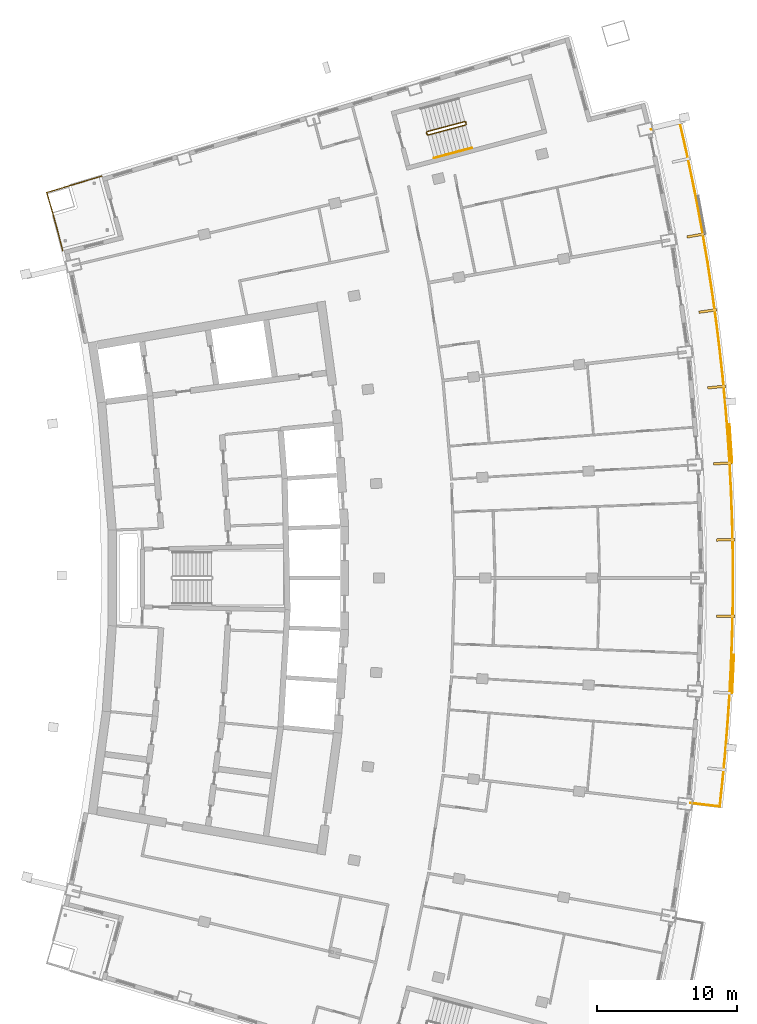
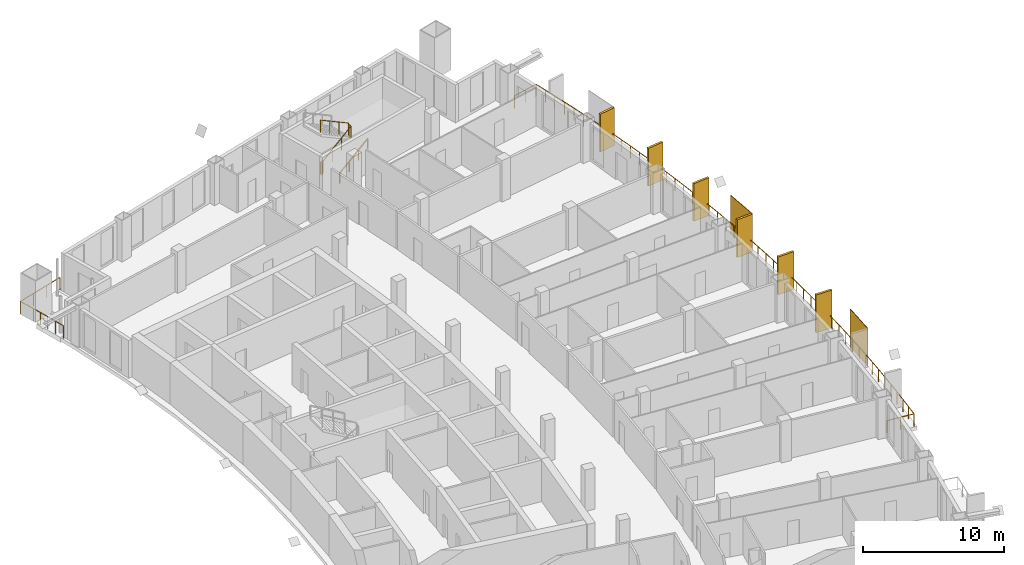
# One storey, part 18 of 19: 8 shading devices, 4 railings.
"""IFC4 building model written with IfcOpenShell, lengths in metres."""

import ifcopenshell
import ifcopenshell.guid

model = None  # the IFC model being written
_history = None  # IfcOwnerHistory: only IFC2X3 demands one
_inside = {}  # id of a spatial element -> (the spatial element, [elements in it])
_under = {}  # id of a project, library or spatial element -> (it, [spatial elements below it])
_declared = {}  # id of a project -> (the project, [libraries it declares])
_typed = {}  # id of a type object -> (the type object, [elements of that type])
_made_of = {}  # id of a material, layer set ... -> (it, [elements and type objects made of it])


def new_model(schema):
    """Start an empty IFC model of exactly this schema.

    Asked for "IFC4X3", IfcOpenShell would pick the latest addendum, in which some entities
    have other attributes; the version numbers below select the first issue.
    IFC2X3 requires an IfcOwnerHistory on every rooted entity: one is made here for all.
    """
    global model, _history
    if schema == "IFC4X3":
        model = ifcopenshell.file(schema_version=(4, 3, 0, 0))
    else:
        model = ifcopenshell.file(schema=schema)
    _inside.clear()
    _under.clear()
    _declared.clear()
    _typed.clear()
    _made_of.clear()
    _history = None
    if model.schema == "IFC2X3":
        org = make("IfcOrganization", Name="unknown")
        user = make(
            "IfcPersonAndOrganization",
            ThePerson=make("IfcPerson", FamilyName="unknown"),
            TheOrganization=org,
        )
        app = make(
            "IfcApplication",
            ApplicationDeveloper=org,
            Version="unknown",
            ApplicationFullName="unknown",
            ApplicationIdentifier="unknown",
        )
        _history = make(
            "IfcOwnerHistory",
            OwningUser=user,
            OwningApplication=app,
            ChangeAction="ADDED",
            CreationDate=0,
        )
    return model


def make(cls, **values):
    """One entity of the class cls with the attributes given. An attribute that is None is left unset."""
    return model.create_entity(
        cls, **{name: value for name, value in values.items() if value is not None}
    )


def rooted(cls, **values):
    """An entity with a GlobalId (a new one), such as an element, a storey or a relation."""
    return make(cls, GlobalId=ifcopenshell.guid.new(), OwnerHistory=_history, **values)


def si_unit(unit_type, name, prefix=None):
    """IfcSIUnit, for example si_unit("LENGTHUNIT", "METRE", prefix="MILLI")."""
    return make("IfcSIUnit", UnitType=unit_type, Prefix=prefix, Name=name)


def assignment(units):
    """IfcUnitAssignment: the units of a project."""
    return None if units is None else make("IfcUnitAssignment", Units=units)


def point(xyz):
    """IfcCartesianPoint."""
    return None if xyz is None else make("IfcCartesianPoint", Coordinates=xyz)


def direction(xyz):
    """IfcDirection."""
    return None if xyz is None else make("IfcDirection", DirectionRatios=xyz)


def frame(location, z_axis=None, x_axis=None):
    """IfcAxis2Placement3D, a coordinate frame: its origin and axes. An axis left out is left unset."""
    return make(
        "IfcAxis2Placement3D",
        Location=point(location),
        Axis=direction(z_axis),
        RefDirection=direction(x_axis),
    )


def frame_2d(location, x_axis=None):
    """IfcAxis2Placement2D, a coordinate frame in the plane: its origin and x axis."""
    return make(
        "IfcAxis2Placement2D", Location=point(location), RefDirection=direction(x_axis)
    )


def origin():
    """The frame at (0, 0, 0) with its axes left unset."""
    return frame((0.0, 0.0, 0.0))


def origin_2d():
    """The frame at (0, 0) in the plane with its x axis left unset."""
    return frame_2d((0.0, 0.0))


def place(relative_to, where):
    """IfcLocalPlacement: puts the frame where relative to a parent placement (None: the world)."""
    return make(
        "IfcLocalPlacement", PlacementRelTo=relative_to, RelativePlacement=where
    )


def context(
    kind, dimensions, precision=None, world=None, true_north=None, identifier=None
):
    """IfcGeometricRepresentationContext, for example the 3D "Model" context."""
    return make(
        "IfcGeometricRepresentationContext",
        ContextIdentifier=identifier,
        ContextType=kind,
        CoordinateSpaceDimension=dimensions,
        Precision=precision,
        WorldCoordinateSystem=world,
        TrueNorth=true_north,
    )


def subcontext(parent, identifier, kind, view, scale=None):
    """IfcGeometricRepresentationSubContext, for example "Body" below "Model"."""
    return make(
        "IfcGeometricRepresentationSubContext",
        ContextIdentifier=identifier,
        ContextType=kind,
        ParentContext=parent,
        TargetScale=scale,
        TargetView=view,
    )


def project(units=None, contexts=None):
    """IfcProject with its units and contexts."""
    return rooted(
        "IfcProject",
        Name="project",
        RepresentationContexts=contexts,
        UnitsInContext=assignment(units),
    )


def spatial(cls, under=None, at=None, **own):
    """A site, building, storey or space (cls), placed at a placement, below another one or the project."""
    s = rooted(cls, ObjectPlacement=at, **own)
    if under is not None:
        _under.setdefault(under.id(), (under, []))[1].append(s)
    return s


def profile(cls, at=None, kind="AREA", **sizes):
    """A parametric profile (cls). Its sizes go by their IFC names, for example OverallWidth=200.0."""
    return make(cls, ProfileType=kind, Position=at, **sizes)


def rectangle(**sizes):
    """IfcRectangleProfileDef."""
    return profile("IfcRectangleProfileDef", **sizes)


def extrude(swept, where, along, depth):
    """IfcExtrudedAreaSolid: the profile swept, set in the frame where, extruded along a direction by depth."""
    return make(
        "IfcExtrudedAreaSolid",
        SweptArea=swept,
        Position=where,
        ExtrudedDirection=direction(along),
        Depth=depth,
    )


def shape(context_of_items, identifier, shape_type, items):
    """IfcShapeRepresentation: the items that make up one representation, for example the "Body"."""
    return make(
        "IfcShapeRepresentation",
        ContextOfItems=context_of_items,
        RepresentationIdentifier=identifier,
        RepresentationType=shape_type,
        Items=items,
    )


def material(Name=None, Category=None):
    """IfcMaterial."""
    return make("IfcMaterial", Name=Name, Category=Category)


def layer(
    of_material, thickness, ventilated=None, Name=None, Category=None, Priority=None
):
    """IfcMaterialLayer: one layer of a wall or slab, of a material (None: an air gap)."""
    return make(
        "IfcMaterialLayer",
        Material=of_material,
        LayerThickness=thickness,
        IsVentilated=ventilated,
        Name=Name,
        Category=Category,
        Priority=Priority,
    )


def layer_set(layers, Name=None):
    """IfcMaterialLayerSet."""
    return make("IfcMaterialLayerSet", MaterialLayers=layers, LayerSetName=Name)


def made_of(thing, what):
    """Note that an element or type object is made of a material, layer set ...; save() writes the relation."""
    if what is not None:
        _made_of.setdefault(what.id(), (what, []))[1].append(thing)
    return thing


def type_object(cls, material=None, **own):
    """A type object (cls), such as IfcWallType, which elements share."""
    return made_of(rooted(cls, **own), material)


def element(
    cls,
    number,
    at=None,
    inside=None,
    cuts=None,
    type_object=None,
    material=None,
    context=None,
    identifier="Body",
    shape_type=None,
    held_by="IfcProductDefinitionShape",
    body=None,
    shapes=None,
    **own,
):
    """One element of the class cls, such as IfcWall. Its Tag is "e" and its number.

    at: its placement. inside: the storey or other place that contains it. cuts: it is an
    opening in that element (IfcRelVoidsElement). A single representation is given by context,
    identifier, shape_type and body (its items); several are given by shapes. held_by: the class
    of the entity that holds the representations. save() writes the other relations.
    """
    e = rooted(cls, Tag="e%d" % number, ObjectPlacement=at, **own)
    if body is not None:
        shapes = [shape(context, identifier, shape_type, body)]
    if shapes is not None:
        e.Representation = make(held_by, Representations=shapes)
    if inside is not None:
        _inside.setdefault(inside.id(), (inside, []))[1].append(e)
    if cuts is not None:
        rooted(
            "IfcRelVoidsElement", RelatingBuildingElement=cuts, RelatedOpeningElement=e
        )
    if type_object is not None:
        _typed.setdefault(type_object.id(), (type_object, []))[1].append(e)
    return made_of(e, material)


def aggregate(whole, parts):
    """IfcRelAggregates: a whole, such as a stair, and the parts it consists of."""
    return rooted("IfcRelAggregates", RelatingObject=whole, RelatedObjects=parts)


def save(model, path):
    """Write the relations noted so far, then the file.

    IfcRelAggregates (storeys below a building ...), IfcRelContainedInSpatialStructure (elements
    in a storey), IfcRelDefinesByType, IfcRelAssociatesMaterial and IfcRelDeclares: one each for
    every whole, place, type object, material and project.
    """
    for whole, parts in _under.values():
        aggregate(whole, parts)
    for where, things in _inside.values():
        rooted(
            "IfcRelContainedInSpatialStructure",
            RelatedElements=things,
            RelatingStructure=where,
        )
    for kind, things in _typed.values():
        rooted("IfcRelDefinesByType", RelatedObjects=things, RelatingType=kind)
    for what, things in _made_of.values():
        rooted("IfcRelAssociatesMaterial", RelatedObjects=things, RelatingMaterial=what)
    for by, libraries in _declared.values():
        rooted("IfcRelDeclares", RelatingContext=by, RelatedDefinitions=libraries)
    model.write(path)


model = new_model("IFC4")

# Units and contexts
model_context = context("Model", 3, precision=1e-05, world=origin(), true_north=direction((0.0, 1.0)))
body_context = subcontext(model_context, "Body", "Model", "MODEL_VIEW")
ifc_project = project(units=[si_unit("LENGTHUNIT", "METRE"), si_unit("AREAUNIT", "SQUARE_METRE"), si_unit("VOLUMEUNIT", "CUBIC_METRE"), si_unit("PLANEANGLEUNIT", "RADIAN"), si_unit("MASSUNIT", "GRAM", prefix="KILO")], contexts=[model_context])

# Site, building, storey
site_placement = place(None, origin())
site = spatial("IfcSite", under=ifc_project, at=site_placement, CompositionType="ELEMENT")
building_placement = place(site_placement, origin())
building = spatial("IfcBuilding", under=site, at=building_placement, Name="Alderwake Tower", CompositionType="ELEMENT")
storey_placement = place(building_placement, frame((0.0, 0.0, 196.39990234375)))
storey = spatial("IfcBuildingStorey", under=building, at=storey_placement, Name="L48", CompositionType="ELEMENT", Elevation=196.39990234375)

# Railings
ifc_material_1 = material(Name="Stainless steel 316 rail and posts", Category="steel")
railing_type_1 = type_object("IfcRailingType", Name="Balcony guard 1100", PredefinedType="GUARDRAIL", material=ifc_material_1)
railing_1_placement = place(storey_placement, frame((58.06640625, 44.91796875, 0.0)))
element("IfcRailing", 1, at=railing_1_placement, inside=storey, type_object=railing_type_1, Name="Guard BF05", PredefinedType="GUARDRAIL", context=body_context, shape_type="SweptSolid", body=[
    extrude(rectangle(XDim=0.048095703125, YDim=0.048095703125, at=origin_2d()), frame((0.0, 0.0, 1.076171875), z_axis=(0.993287203457, -0.115674247125, 0.0), x_axis=(0.115674247125, 0.993287203457, 0.0)), (0.0, 0.0, 1.0), 2.10009765625),
    extrude(rectangle(XDim=0.048095703125, YDim=0.048095703125, at=origin_2d()), frame((2.0859375, -0.242919921875, 1.076171875), z_axis=(0.108871005933, 0.994055885787, 0.0), x_axis=(-0.994055885787, 0.108871005933, 0.0)), (0.0, 0.0, 1.0), 1.957763671875),
    extrude(rectangle(XDim=0.048095703125, YDim=0.048095703125, at=origin_2d()), frame((2.299072265625, 1.703125, 1.076171875), z_axis=(0.094685905036, 0.995507197055, 0.0), x_axis=(-0.995507197055, 0.094685905036, 0.0)), (0.0, 0.0, 1.0), 2.0576171875),
    extrude(rectangle(XDim=0.048095703125, YDim=0.048095703125, at=origin_2d()), frame((2.493896484375, 3.75146484375, 1.076171875), z_axis=(0.080080004355, 0.99678843939, 0.0), x_axis=(-0.99678843939, 0.080080004355, 0.0)), (0.0, 0.0, 1.0), 2.057861328125),
    extrude(rectangle(XDim=0.048095703125, YDim=0.048095703125, at=origin_2d()), frame((2.65869140625, 5.802734375, 1.076171875), z_axis=(0.065621128532, 0.997844610894, 0.0), x_axis=(-0.997844610894, 0.065621128532, 0.0)), (0.0, 0.0, 1.0), 2.057373046875),
    extrude(rectangle(XDim=0.048095703125, YDim=0.048095703125, at=origin_2d()), frame((2.793701171875, 7.855712890625, 1.076171875), z_axis=(0.051014504911, 0.998697912428, 0.0), x_axis=(-0.998697912428, 0.051014504911, 0.0)), (0.0, 0.0, 1.0), 2.057861328125),
    extrude(rectangle(XDim=0.048095703125, YDim=0.048095703125, at=origin_2d()), frame((2.898681640625, 9.910888671875, 1.076171875), z_axis=(0.036423636096, 0.99933643921, 0.0), x_axis=(-0.99933643921, 0.036423636096, 0.0)), (0.0, 0.0, 1.0), 2.057861328125),
    extrude(rectangle(XDim=0.048095703125, YDim=0.048095703125, at=origin_2d()), frame((2.9736328125, 11.96728515625, 1.076171875), z_axis=(0.021831965865, 0.999761654229, 0.0), x_axis=(-0.999761654229, 0.021831965865, 0.0)), (0.0, 0.0, 1.0), 2.0576171875),
    extrude(rectangle(XDim=0.048095703125, YDim=0.048095703125, at=origin_2d()), frame((3.0185546875, 14.0244140625, 1.076171875), z_axis=(0.007356231898, 0.99997294256, 0.0), x_axis=(-0.99997294256, 0.007356231898, 0.0)), (0.0, 0.0, 1.0), 2.0576171875),
    extrude(rectangle(XDim=0.048095703125, YDim=0.048095703125, at=origin_2d()), frame((3.03369140625, 16.08203125, 1.076171875), z_axis=(-0.007356231898, 0.99997294256, 0.0), x_axis=(-0.99997294256, -0.007356231898, 0.0)), (0.0, 0.0, 1.0), 2.0576171875),
    extrude(rectangle(XDim=0.048095703125, YDim=0.048095703125, at=origin_2d()), frame((3.0185546875, 18.1396484375, 1.076171875), z_axis=(-0.021831965865, 0.999761654229, 0.0), x_axis=(-0.999761654229, -0.021831965865, 0.0)), (0.0, 0.0, 1.0), 2.0576171875),
    extrude(rectangle(XDim=0.048095703125, YDim=0.048095703125, at=origin_2d()), frame((2.9736328125, 20.19677734375, 1.076171875), z_axis=(-0.036423636096, 0.99933643921, 0.0), x_axis=(-0.99933643921, -0.036423636096, 0.0)), (0.0, 0.0, 1.0), 2.057861328125),
    extrude(rectangle(XDim=0.048095703125, YDim=0.048095703125, at=origin_2d()), frame((2.898681640625, 22.253173828125, 1.076171875), z_axis=(-0.051014504911, 0.998697912428, 0.0), x_axis=(-0.998697912428, -0.051014504911, 0.0)), (0.0, 0.0, 1.0), 2.057861328125),
    extrude(rectangle(XDim=0.048095703125, YDim=0.048095703125, at=origin_2d()), frame((2.793701171875, 24.308349609375, 1.076171875), z_axis=(-0.065621128532, 0.997844610894, 0.0), x_axis=(-0.997844610894, -0.065621128532, 0.0)), (0.0, 0.0, 1.0), 2.057373046875),
    extrude(rectangle(XDim=0.048095703125, YDim=0.048095703125, at=origin_2d()), frame((2.65869140625, 26.361328125, 1.076171875), z_axis=(-0.080080004355, 0.99678843939, 0.0), x_axis=(-0.99678843939, -0.080080004355, 0.0)), (0.0, 0.0, 1.0), 2.057861328125),
    extrude(rectangle(XDim=0.048095703125, YDim=0.048095703125, at=origin_2d()), frame((2.493896484375, 28.41259765625, 1.076171875), z_axis=(-0.094685905036, 0.995507197055, 0.0), x_axis=(-0.995507197055, -0.094685905036, 0.0)), (0.0, 0.0, 1.0), 2.0576171875),
    extrude(rectangle(XDim=0.048095703125, YDim=0.048095703125, at=origin_2d()), frame((2.299072265625, 30.4609375, 1.076171875), z_axis=(-0.109155256142, 0.994024713001, 0.0), x_axis=(-0.994024713001, -0.109155256142, 0.0)), (0.0, 0.0, 1.0), 2.0576171875),
    extrude(rectangle(XDim=0.048095703125, YDim=0.048095703125, at=origin_2d()), frame((2.074462890625, 32.50634765625, 1.076171875), z_axis=(-0.123625862504, 0.992328900174, 0.0), x_axis=(-0.992328900174, -0.123625862504, 0.0)), (0.0, 0.0, 1.0), 2.057861328125),
    extrude(rectangle(XDim=0.048095703125, YDim=0.048095703125, at=origin_2d()), frame((1.820068359375, 34.54833984375, 1.076171875), z_axis=(-0.138114829641, 0.990416222521, 0.0), x_axis=(-0.990416222521, -0.138114829641, 0.0)), (0.0, 0.0, 1.0), 2.0576171875),
    extrude(rectangle(XDim=0.048095703125, YDim=0.048095703125, at=origin_2d()), frame((1.535888671875, 36.586181640625, 1.076171875), z_axis=(-0.152574252714, 0.988292010192, 0.0), x_axis=(-0.988292010192, -0.152574252714, 0.0)), (0.0, 0.0, 1.0), 2.057861328125),
    extrude(rectangle(XDim=0.048095703125, YDim=0.048095703125, at=origin_2d()), frame((1.221923828125, 38.619873046875, 1.076171875), z_axis=(-0.166938157328, 0.98596736844, 0.0), x_axis=(-0.98596736844, -0.166938157328, 0.0)), (0.0, 0.0, 1.0), 2.0576171875),
    extrude(rectangle(XDim=0.048095703125, YDim=0.048095703125, at=origin_2d()), frame((0.87841796875, 40.648681640625, 1.076171875), z_axis=(-0.181171488795, 0.983451519724, 0.0), x_axis=(-0.983451519724, -0.181171488795, 0.0)), (0.0, 0.0, 1.0), 2.0576171875),
    extrude(rectangle(XDim=0.048095703125, YDim=0.048095703125, at=origin_2d()), frame((0.505615234375, 42.67236328125, 1.076171875), z_axis=(-0.195659753975, 0.980671841481, 0.0), x_axis=(-0.980671841481, -0.195659753975, 0.0)), (0.0, 0.0, 1.0), 2.0576171875),
    extrude(rectangle(XDim=0.048095703125, YDim=0.048095703125, at=origin_2d()), frame((0.10302734375, 44.690185546875, 1.076171875), z_axis=(-0.209877477425, 0.977727694437, 0.0), x_axis=(-0.977727694437, -0.209877477425, 0.0)), (0.0, 0.0, 1.0), 2.057861328125),
    extrude(rectangle(XDim=0.048095703125, YDim=0.048095703125, at=origin_2d()), frame((-0.328857421875, 46.7021484375, 1.076171875), z_axis=(-0.223857490516, 0.974621887677, 0.0), x_axis=(-0.974621887677, -0.223857490516, 0.0)), (0.0, 0.0, 1.0), 1.95751953125),
    extrude(rectangle(XDim=0.048095703125, YDim=0.048095703125, at=origin_2d()), frame((-0.76708984375, 48.610107421875, 1.076171875), z_axis=(-0.973057638874, -0.230561990427, 0.0), x_axis=(0.230561990427, -0.973057638874, 0.0)), (0.0, 0.0, 1.0), 2.099853515625),
    extrude(rectangle(XDim=0.0419921875, YDim=0.0419921875, at=origin_2d()), frame((0.0, 0.0, 0.0), z_axis=(0.0, 0.0, 1.0), x_axis=(0.993287203457, -0.115674247125, 0.0)), (0.0, 0.0, 1.0), 1.052001953125),
    extrude(rectangle(XDim=0.0419921875, YDim=0.0419921875, at=origin_2d()), frame((1.04296875, -0.12158203125, 0.0), z_axis=(0.0, 0.0, 1.0), x_axis=(0.993287203457, -0.115674247125, 0.0)), (0.0, 0.0, 1.0), 1.052001953125),
    extrude(rectangle(XDim=0.0419921875, YDim=0.0419921875, at=origin_2d()), frame((2.0859375, -0.242919921875, 0.0), z_axis=(0.0, 0.0, 1.0), x_axis=(0.108871005933, 0.994055885787, 0.0)), (0.0, 0.0, 1.0), 1.052001953125),
    extrude(rectangle(XDim=0.0419921875, YDim=0.0419921875, at=origin_2d()), frame((2.1923828125, 0.72998046875, 0.0), z_axis=(0.0, 0.0, 1.0), x_axis=(0.108871005933, 0.994055885787, 0.0)), (0.0, 0.0, 1.0), 1.052001953125),
    extrude(rectangle(XDim=0.0419921875, YDim=0.0419921875, at=origin_2d()), frame((2.299072265625, 1.703125, 0.0), z_axis=(0.0, 0.0, 1.0), x_axis=(0.094685905036, 0.995507197055, 0.0)), (0.0, 0.0, 1.0), 1.052001953125),
    extrude(rectangle(XDim=0.0419921875, YDim=0.0419921875, at=origin_2d()), frame((2.396484375, 2.727294921875, 0.0), z_axis=(0.0, 0.0, 1.0), x_axis=(0.094685905036, 0.995507197055, 0.0)), (0.0, 0.0, 1.0), 1.052001953125),
    extrude(rectangle(XDim=0.0419921875, YDim=0.0419921875, at=origin_2d()), frame((2.493896484375, 3.75146484375, 0.0), z_axis=(0.0, 0.0, 1.0), x_axis=(0.080080004355, 0.99678843939, 0.0)), (0.0, 0.0, 1.0), 1.052001953125),
    extrude(rectangle(XDim=0.0419921875, YDim=0.0419921875, at=origin_2d()), frame((2.576171875, 4.777099609375, 0.0), z_axis=(0.0, 0.0, 1.0), x_axis=(0.080080004355, 0.99678843939, 0.0)), (0.0, 0.0, 1.0), 1.052001953125),
    extrude(rectangle(XDim=0.0419921875, YDim=0.0419921875, at=origin_2d()), frame((2.65869140625, 5.802734375, 0.0), z_axis=(0.0, 0.0, 1.0), x_axis=(0.065621128532, 0.997844610894, 0.0)), (0.0, 0.0, 1.0), 1.052001953125),
    extrude(rectangle(XDim=0.0419921875, YDim=0.0419921875, at=origin_2d()), frame((2.72607421875, 6.8291015625, 0.0), z_axis=(0.0, 0.0, 1.0), x_axis=(0.065621128532, 0.997844610894, 0.0)), (0.0, 0.0, 1.0), 1.052001953125),
    extrude(rectangle(XDim=0.0419921875, YDim=0.0419921875, at=origin_2d()), frame((2.793701171875, 7.855712890625, 0.0), z_axis=(0.0, 0.0, 1.0), x_axis=(0.051014504911, 0.998697912428, 0.0)), (0.0, 0.0, 1.0), 1.052001953125),
    extrude(rectangle(XDim=0.0419921875, YDim=0.0419921875, at=origin_2d()), frame((2.84619140625, 8.88330078125, 0.0), z_axis=(0.0, 0.0, 1.0), x_axis=(0.051014504911, 0.998697912428, 0.0)), (0.0, 0.0, 1.0), 1.052001953125),
    extrude(rectangle(XDim=0.0419921875, YDim=0.0419921875, at=origin_2d()), frame((2.898681640625, 9.910888671875, 0.0), z_axis=(0.0, 0.0, 1.0), x_axis=(0.036423636096, 0.99933643921, 0.0)), (0.0, 0.0, 1.0), 1.052001953125),
    extrude(rectangle(XDim=0.0419921875, YDim=0.0419921875, at=origin_2d()), frame((2.93603515625, 10.93896484375, 0.0), z_axis=(0.0, 0.0, 1.0), x_axis=(0.036423636096, 0.99933643921, 0.0)), (0.0, 0.0, 1.0), 1.052001953125),
    extrude(rectangle(XDim=0.0419921875, YDim=0.0419921875, at=origin_2d()), frame((2.9736328125, 11.96728515625, 0.0), z_axis=(0.0, 0.0, 1.0), x_axis=(0.021831965865, 0.999761654229, 0.0)), (0.0, 0.0, 1.0), 1.052001953125),
    extrude(rectangle(XDim=0.0419921875, YDim=0.0419921875, at=origin_2d()), frame((2.99609375, 12.995849609375, 0.0), z_axis=(0.0, 0.0, 1.0), x_axis=(0.021831965865, 0.999761654229, 0.0)), (0.0, 0.0, 1.0), 1.052001953125),
    extrude(rectangle(XDim=0.0419921875, YDim=0.0419921875, at=origin_2d()), frame((3.0185546875, 14.0244140625, 0.0), z_axis=(0.0, 0.0, 1.0), x_axis=(0.007356231898, 0.99997294256, 0.0)), (0.0, 0.0, 1.0), 1.052001953125),
    extrude(rectangle(XDim=0.0419921875, YDim=0.0419921875, at=origin_2d()), frame((3.026123046875, 15.05322265625, 0.0), z_axis=(0.0, 0.0, 1.0), x_axis=(0.007356231898, 0.99997294256, 0.0)), (0.0, 0.0, 1.0), 1.052001953125),
    extrude(rectangle(XDim=0.0419921875, YDim=0.0419921875, at=origin_2d()), frame((3.03369140625, 16.08203125, 0.0), z_axis=(0.0, 0.0, 1.0), x_axis=(-0.007356231898, 0.99997294256, 0.0)), (0.0, 0.0, 1.0), 1.052001953125),
    extrude(rectangle(XDim=0.0419921875, YDim=0.0419921875, at=origin_2d()), frame((3.026123046875, 17.11083984375, 0.0), z_axis=(0.0, 0.0, 1.0), x_axis=(-0.007356231898, 0.99997294256, 0.0)), (0.0, 0.0, 1.0), 1.052001953125),
    extrude(rectangle(XDim=0.0419921875, YDim=0.0419921875, at=origin_2d()), frame((3.0185546875, 18.1396484375, 0.0), z_axis=(0.0, 0.0, 1.0), x_axis=(-0.021831965865, 0.999761654229, 0.0)), (0.0, 0.0, 1.0), 1.052001953125),
    extrude(rectangle(XDim=0.0419921875, YDim=0.0419921875, at=origin_2d()), frame((2.99609375, 19.168212890625, 0.0), z_axis=(0.0, 0.0, 1.0), x_axis=(-0.021831965865, 0.999761654229, 0.0)), (0.0, 0.0, 1.0), 1.052001953125),
    extrude(rectangle(XDim=0.0419921875, YDim=0.0419921875, at=origin_2d()), frame((2.9736328125, 20.19677734375, 0.0), z_axis=(0.0, 0.0, 1.0), x_axis=(-0.036423636096, 0.99933643921, 0.0)), (0.0, 0.0, 1.0), 1.052001953125),
    extrude(rectangle(XDim=0.0419921875, YDim=0.0419921875, at=origin_2d()), frame((2.93603515625, 21.22509765625, 0.0), z_axis=(0.0, 0.0, 1.0), x_axis=(-0.036423636096, 0.99933643921, 0.0)), (0.0, 0.0, 1.0), 1.052001953125),
    extrude(rectangle(XDim=0.0419921875, YDim=0.0419921875, at=origin_2d()), frame((2.898681640625, 22.253173828125, 0.0), z_axis=(0.0, 0.0, 1.0), x_axis=(-0.051014504911, 0.998697912428, 0.0)), (0.0, 0.0, 1.0), 1.052001953125),
    extrude(rectangle(XDim=0.0419921875, YDim=0.0419921875, at=origin_2d()), frame((2.84619140625, 23.28076171875, 0.0), z_axis=(0.0, 0.0, 1.0), x_axis=(-0.051014504911, 0.998697912428, 0.0)), (0.0, 0.0, 1.0), 1.052001953125),
    extrude(rectangle(XDim=0.0419921875, YDim=0.0419921875, at=origin_2d()), frame((2.793701171875, 24.308349609375, 0.0), z_axis=(0.0, 0.0, 1.0), x_axis=(-0.065621128532, 0.997844610894, 0.0)), (0.0, 0.0, 1.0), 1.052001953125),
    extrude(rectangle(XDim=0.0419921875, YDim=0.0419921875, at=origin_2d()), frame((2.72607421875, 25.3349609375, 0.0), z_axis=(0.0, 0.0, 1.0), x_axis=(-0.065621128532, 0.997844610894, 0.0)), (0.0, 0.0, 1.0), 1.052001953125),
    extrude(rectangle(XDim=0.0419921875, YDim=0.0419921875, at=origin_2d()), frame((2.65869140625, 26.361328125, 0.0), z_axis=(0.0, 0.0, 1.0), x_axis=(-0.080080004355, 0.99678843939, 0.0)), (0.0, 0.0, 1.0), 1.052001953125),
    extrude(rectangle(XDim=0.0419921875, YDim=0.0419921875, at=origin_2d()), frame((2.576171875, 27.386962890625, 0.0), z_axis=(0.0, 0.0, 1.0), x_axis=(-0.080080004355, 0.99678843939, 0.0)), (0.0, 0.0, 1.0), 1.052001953125),
    extrude(rectangle(XDim=0.0419921875, YDim=0.0419921875, at=origin_2d()), frame((2.493896484375, 28.41259765625, 0.0), z_axis=(0.0, 0.0, 1.0), x_axis=(-0.094685905036, 0.995507197055, 0.0)), (0.0, 0.0, 1.0), 1.052001953125),
    extrude(rectangle(XDim=0.0419921875, YDim=0.0419921875, at=origin_2d()), frame((2.396484375, 29.436767578125, 0.0), z_axis=(0.0, 0.0, 1.0), x_axis=(-0.094685905036, 0.995507197055, 0.0)), (0.0, 0.0, 1.0), 1.052001953125),
    extrude(rectangle(XDim=0.0419921875, YDim=0.0419921875, at=origin_2d()), frame((2.299072265625, 30.4609375, 0.0), z_axis=(0.0, 0.0, 1.0), x_axis=(-0.109155256142, 0.994024713001, 0.0)), (0.0, 0.0, 1.0), 1.052001953125),
    extrude(rectangle(XDim=0.0419921875, YDim=0.0419921875, at=origin_2d()), frame((2.186767578125, 31.483642578125, 0.0), z_axis=(0.0, 0.0, 1.0), x_axis=(-0.109155256142, 0.994024713001, 0.0)), (0.0, 0.0, 1.0), 1.052001953125),
    extrude(rectangle(XDim=0.0419921875, YDim=0.0419921875, at=origin_2d()), frame((2.074462890625, 32.50634765625, 0.0), z_axis=(0.0, 0.0, 1.0), x_axis=(-0.123625862504, 0.992328900174, 0.0)), (0.0, 0.0, 1.0), 1.052001953125),
    extrude(rectangle(XDim=0.0419921875, YDim=0.0419921875, at=origin_2d()), frame((1.947265625, 33.52734375, 0.0), z_axis=(0.0, 0.0, 1.0), x_axis=(-0.123625862504, 0.992328900174, 0.0)), (0.0, 0.0, 1.0), 1.052001953125),
    extrude(rectangle(XDim=0.0419921875, YDim=0.0419921875, at=origin_2d()), frame((1.820068359375, 34.54833984375, 0.0), z_axis=(0.0, 0.0, 1.0), x_axis=(-0.138114829641, 0.990416222521, 0.0)), (0.0, 0.0, 1.0), 1.052001953125),
    extrude(rectangle(XDim=0.0419921875, YDim=0.0419921875, at=origin_2d()), frame((1.677978515625, 35.5673828125, 0.0), z_axis=(0.0, 0.0, 1.0), x_axis=(-0.138114829641, 0.990416222521, 0.0)), (0.0, 0.0, 1.0), 1.052001953125),
    extrude(rectangle(XDim=0.0419921875, YDim=0.0419921875, at=origin_2d()), frame((1.535888671875, 36.586181640625, 0.0), z_axis=(0.0, 0.0, 1.0), x_axis=(-0.152574252714, 0.988292010192, 0.0)), (0.0, 0.0, 1.0), 1.052001953125),
    extrude(rectangle(XDim=0.0419921875, YDim=0.0419921875, at=origin_2d()), frame((1.37890625, 37.60302734375, 0.0), z_axis=(0.0, 0.0, 1.0), x_axis=(-0.152574252714, 0.988292010192, 0.0)), (0.0, 0.0, 1.0), 1.052001953125),
    extrude(rectangle(XDim=0.0419921875, YDim=0.0419921875, at=origin_2d()), frame((1.221923828125, 38.619873046875, 0.0), z_axis=(0.0, 0.0, 1.0), x_axis=(-0.166938157328, 0.98596736844, 0.0)), (0.0, 0.0, 1.0), 1.052001953125),
    extrude(rectangle(XDim=0.0419921875, YDim=0.0419921875, at=origin_2d()), frame((1.05029296875, 39.63427734375, 0.0), z_axis=(0.0, 0.0, 1.0), x_axis=(-0.166938157328, 0.98596736844, 0.0)), (0.0, 0.0, 1.0), 1.052001953125),
    extrude(rectangle(XDim=0.0419921875, YDim=0.0419921875, at=origin_2d()), frame((0.87841796875, 40.648681640625, 0.0), z_axis=(0.0, 0.0, 1.0), x_axis=(-0.181171488795, 0.983451519724, 0.0)), (0.0, 0.0, 1.0), 1.052001953125),
    extrude(rectangle(XDim=0.0419921875, YDim=0.0419921875, at=origin_2d()), frame((0.69189453125, 41.66064453125, 0.0), z_axis=(0.0, 0.0, 1.0), x_axis=(-0.181171488795, 0.983451519724, 0.0)), (0.0, 0.0, 1.0), 1.052001953125),
    extrude(rectangle(XDim=0.0419921875, YDim=0.0419921875, at=origin_2d()), frame((0.505615234375, 42.67236328125, 0.0), z_axis=(0.0, 0.0, 1.0), x_axis=(-0.195659753975, 0.980671841481, 0.0)), (0.0, 0.0, 1.0), 1.052001953125),
    extrude(rectangle(XDim=0.0419921875, YDim=0.0419921875, at=origin_2d()), frame((0.30419921875, 43.68115234375, 0.0), z_axis=(0.0, 0.0, 1.0), x_axis=(-0.195659753975, 0.980671841481, 0.0)), (0.0, 0.0, 1.0), 1.052001953125),
    extrude(rectangle(XDim=0.0419921875, YDim=0.0419921875, at=origin_2d()), frame((0.10302734375, 44.690185546875, 0.0), z_axis=(0.0, 0.0, 1.0), x_axis=(-0.209877477425, 0.977727694437, 0.0)), (0.0, 0.0, 1.0), 1.052001953125),
    extrude(rectangle(XDim=0.0419921875, YDim=0.0419921875, at=origin_2d()), frame((-0.11279296875, 45.6962890625, 0.0), z_axis=(0.0, 0.0, 1.0), x_axis=(-0.209877477425, 0.977727694437, 0.0)), (0.0, 0.0, 1.0), 1.052001953125),
    extrude(rectangle(XDim=0.0419921875, YDim=0.0419921875, at=origin_2d()), frame((-0.328857421875, 46.7021484375, 0.0), z_axis=(0.0, 0.0, 1.0), x_axis=(-0.223857490516, 0.974621887677, 0.0)), (0.0, 0.0, 1.0), 1.052001953125),
    extrude(rectangle(XDim=0.0419921875, YDim=0.0419921875, at=origin_2d()), frame((-0.5478515625, 47.65625, 0.0), z_axis=(0.0, 0.0, 1.0), x_axis=(-0.223857490516, 0.974621887677, 0.0)), (0.0, 0.0, 1.0), 1.052001953125),
    extrude(rectangle(XDim=0.0419921875, YDim=0.0419921875, at=origin_2d()), frame((-0.76708984375, 48.610107421875, 0.0), z_axis=(0.0, 0.0, 1.0), x_axis=(-0.973057638874, -0.230561990427, 0.0)), (0.0, 0.0, 1.0), 1.052001953125),
    extrude(rectangle(XDim=0.0419921875, YDim=0.0419921875, at=origin_2d()), frame((-1.78857421875, 48.3681640625, 0.0), z_axis=(0.0, 0.0, 1.0), x_axis=(-0.973057638874, -0.230561990427, 0.0)), (0.0, 0.0, 1.0), 1.052001953125),
    extrude(rectangle(XDim=0.0419921875, YDim=0.0419921875, at=origin_2d()), frame((-2.810302734375, 48.1259765625, 0.0), z_axis=(0.0, 0.0, 1.0), x_axis=(-0.973057638874, -0.230561990427, 0.0)), (0.0, 0.0, 1.0), 1.052001953125),
])
railing_2_placement = place(storey_placement, frame((13.210693359375, 84.387451171875, 0.0)))
element("IfcRailing", 2, at=railing_2_placement, inside=storey, type_object=railing_type_1, Name="Guard terrace RN", PredefinedType="GUARDRAIL", context=body_context, shape_type="SweptSolid", body=[
    extrude(rectangle(XDim=0.048095703125, YDim=0.048095703125, at=origin_2d()), frame((0.0, 0.0, 1.076171875), z_axis=(-0.251385381433, 0.967887075026, 0.0), x_axis=(-0.967887075026, -0.251385381433, 0.0)), (0.0, 0.0, 1.0), 1.6015625),
    extrude(rectangle(XDim=0.048095703125, YDim=0.048095703125, at=origin_2d()), frame((-0.402587890625, 1.550048828125, 1.076171875), z_axis=(-0.266520638672, 0.963829211615, 0.0), x_axis=(-0.963829211615, -0.266520638672, 0.0)), (0.0, 0.0, 1.0), 1.401611328125),
    extrude(rectangle(XDim=0.048095703125, YDim=0.048095703125, at=origin_2d()), frame((-0.776123046875, 2.90087890625, 1.076171875), z_axis=(-0.280093650878, 0.959972680204, 0.0), x_axis=(-0.959972680204, -0.280093650878, 0.0)), (0.0, 0.0, 1.0), 1.30126953125),
    extrude(rectangle(XDim=0.048095703125, YDim=0.048095703125, at=origin_2d()), frame((-1.140625, 4.150146484375, 1.076171875), z_axis=(0.958066871889, 0.286544706789, 0.0), x_axis=(-0.286544706789, 0.958066871889, 0.0)), (0.0, 0.0, 1.0), 4.099853515625),
    extrude(rectangle(XDim=0.0419921875, YDim=0.0419921875, at=origin_2d()), frame((0.0, 0.0, 0.0), z_axis=(0.0, 0.0, 1.0), x_axis=(-0.251385381433, 0.967887075026, 0.0)), (0.0, 0.0, 1.0), 1.052001953125),
    extrude(rectangle(XDim=0.0419921875, YDim=0.0419921875, at=origin_2d()), frame((-0.201171875, 0.77490234375, 0.0), z_axis=(0.0, 0.0, 1.0), x_axis=(-0.251385381433, 0.967887075026, 0.0)), (0.0, 0.0, 1.0), 1.052001953125),
    extrude(rectangle(XDim=0.0419921875, YDim=0.0419921875, at=origin_2d()), frame((-0.402587890625, 1.550048828125, 0.0), z_axis=(0.0, 0.0, 1.0), x_axis=(-0.266520638672, 0.963829211615, 0.0)), (0.0, 0.0, 1.0), 1.052001953125),
    extrude(rectangle(XDim=0.0419921875, YDim=0.0419921875, at=origin_2d()), frame((-0.58935546875, 2.2255859375, 0.0), z_axis=(0.0, 0.0, 1.0), x_axis=(-0.266520638672, 0.963829211615, 0.0)), (0.0, 0.0, 1.0), 1.052001953125),
    extrude(rectangle(XDim=0.0419921875, YDim=0.0419921875, at=origin_2d()), frame((-0.776123046875, 2.90087890625, 0.0), z_axis=(0.0, 0.0, 1.0), x_axis=(-0.280093650878, 0.959972680204, 0.0)), (0.0, 0.0, 1.0), 1.052001953125),
    extrude(rectangle(XDim=0.0419921875, YDim=0.0419921875, at=origin_2d()), frame((-1.140625, 4.150146484375, 0.0), z_axis=(0.0, 0.0, 1.0), x_axis=(0.958066871889, 0.286544706789, 0.0)), (0.0, 0.0, 1.0), 1.052001953125),
    extrude(rectangle(XDim=0.0419921875, YDim=0.0419921875, at=origin_2d()), frame((0.168701171875, 4.541748046875, 0.0), z_axis=(0.0, 0.0, 1.0), x_axis=(0.958066871889, 0.286544706789, 0.0)), (0.0, 0.0, 1.0), 1.052001953125),
    extrude(rectangle(XDim=0.0419921875, YDim=0.0419921875, at=origin_2d()), frame((1.47802734375, 4.933349609375, 0.0), z_axis=(0.0, 0.0, 1.0), x_axis=(0.958066871889, 0.286544706789, 0.0)), (0.0, 0.0, 1.0), 1.052001953125),
    extrude(rectangle(XDim=0.0419921875, YDim=0.0419921875, at=origin_2d()), frame((2.787353515625, 5.324951171875, 0.0), z_axis=(0.0, 0.0, 1.0), x_axis=(0.958066871889, 0.286544706789, 0.0)), (0.0, 0.0, 1.0), 1.052001953125),
])

# Shading devices
ifc_material_2 = material(Name="Bronze anodised aluminium", Category="aluminium")
ifc_layer_1 = layer(ifc_material_2, 0.179931640625)
ifc_layer_set_1 = layer_set([ifc_layer_1], Name="Facade fin 1300")
shading_device_type_1 = type_object("IfcShadingDeviceType", Name="Facade fin 1300", PredefinedType="USERDEFINED", material=ifc_layer_set_1)
for number, where, z_axis, x_axis, name in (
    (3, (60.573486328125, 58.2724609375, 0.0), (0.0, 0.0, 1.0), (0.999811838809, -0.019398117887, 0.0), "Fin"),
    (4, (60.573486328125, 63.7275390625, 0.0), (0.0, 0.0, 1.0), (0.999811838809, 0.019398117887, 0.0), "Fin"),
    (5, (60.361083984375, 69.1923828125, 0.0), (0.0, 0.0, 1.0), (0.998301080988, 0.058266214038, 0.0), "Fin"),
    (6, (59.936279296875, 74.644775390625, 0.0), (0.0, 0.0, 1.0), (0.995279882363, 0.097046152751, 0.0), "Fin"),
    (7, (59.2998046875, 80.07666015625, 0.0), (0.0, 0.0, 1.0), (0.990752577235, 0.135680988728, 0.0), "Fin"),
    (8, (58.45263671875, 85.4794921875, 0.0), (0.0, 0.0, 1.0), (0.984726421654, 0.174108800747, 0.0), "Fin"),
):
    element("IfcShadingDevice", number, at=place(storey_placement, frame(where, z_axis=z_axis, x_axis=x_axis)), inside=storey, type_object=shading_device_type_1, Name=name, ObjectType="FIN", PredefinedType="USERDEFINED", context=body_context, shape_type="SweptSolid", body=[
        extrude(rectangle(XDim=1.300048828125, YDim=0.179931640625, at=origin_2d()), origin(), (0.0, 0.0, 1.0), 3.280029296875),
    ])
ifc_material_3 = material(Name="Perforated bronze anodised aluminium", Category="aluminium")
ifc_layer_2 = layer(ifc_material_3, 0.050048828125)
ifc_layer_set_2 = layer_set([ifc_layer_2], Name="Perforated screen panel")
shading_device_type_2 = type_object("IfcShadingDeviceType", Name="Perforated screen panel", PredefinedType="USERDEFINED", material=ifc_layer_set_2)
shading_device_1_placement = place(storey_placement, frame((61.1015625, 54.13720703125, 0.0), z_axis=(0.0, 0.0, 1.0), x_axis=(0.998819231138, -0.048581308217, 0.0)))
element("IfcShadingDevice", 9, at=shading_device_1_placement, inside=storey, type_object=shading_device_type_2, Name="Screen panel", ObjectType="SCREEN", PredefinedType="USERDEFINED", context=body_context, shape_type="SweptSolid", body=[
    extrude(rectangle(XDim=0.050048828125, YDim=2.74072265625, at=origin_2d()), origin(), (0.0, 0.0, 1.0), 3.280029296875),
])
shading_device_2_placement = place(storey_placement, frame((60.94140625, 70.60595703125, 0.0), z_axis=(0.0, 0.0, 1.0), x_axis=(0.997685465774, 0.067997877779, 0.0)))
element("IfcShadingDevice", 10, at=shading_device_2_placement, inside=storey, type_object=shading_device_type_2, Name="Screen panel", ObjectType="SCREEN", PredefinedType="USERDEFINED", context=body_context, shape_type="SweptSolid", body=[
    extrude(rectangle(XDim=0.050048828125, YDim=2.7548828125, at=origin_2d()), origin(), (0.0, 0.0, 1.0), 3.280029296875),
])

# Railings
ifc_material_4 = material(Name="Stainless steel guard", Category="steel")
railing_type_2 = type_object("IfcRailingType", Name="Stair guard 1100", PredefinedType="GUARDRAIL", material=ifc_material_4)
railing_3_placement = place(storey_placement, frame((39.23291015625, 92.6806640625, 0.0)))
element("IfcRailing", 11, at=railing_3_placement, inside=storey, type_object=railing_type_2, Name="L48 ST-A stair guard 1", PredefinedType="GUARDRAIL", context=body_context, shape_type="SweptSolid", body=[
    extrude(rectangle(XDim=0.048095703125, YDim=0.048095703125, at=origin_2d()), frame((0.0, 0.0, 1.076171875), z_axis=(-0.257055032184, 0.966396766566, 0.0), x_axis=(-0.966396766566, -0.257055032184, 0.0)), (0.0, 0.0, 1.0), 0.150146484375),
    extrude(rectangle(XDim=0.048095703125, YDim=0.048095703125, at=origin_2d()), frame((-0.03857421875, 0.14501953125, 1.076171875), z_axis=(0.379152066478, -0.68506938173, 0.622031874345), x_axis=(0.874937996095, 0.484234966715, 0.0)), (0.0, 0.0, 1.0), 0.263427734375),
    extrude(rectangle(XDim=0.048095703125, YDim=0.048095703125, at=origin_2d()), frame((0.061279296875, -0.035400390625, 1.23974609375), z_axis=(0.834290631165, 0.222236594766, 0.504549342183), x_axis=(-0.257402139082, 0.966304371715, 0.0)), (0.0, 0.0, 1.0), 3.242919921875),
    extrude(rectangle(XDim=0.048095703125, YDim=0.048095703125, at=origin_2d()), frame((2.766845703125, 0.685302734375, 2.8759765625), z_axis=(0.500220121494, 0.865898279276, 0.0), x_axis=(-0.865898279276, 0.500220121494, 0.0)), (0.0, 0.0, 1.0), 0.07080078125),
    extrude(rectangle(XDim=0.048095703125, YDim=0.048095703125, at=origin_2d()), frame((2.80224609375, 0.74658203125, 2.8759765625), z_axis=(-0.257459803502, 0.966289009345, 0.0), x_axis=(-0.966289009345, -0.257459803502, 0.0)), (0.0, 0.0, 1.0), 0.14990234375),
    extrude(rectangle(XDim=0.048095703125, YDim=0.048095703125, at=origin_2d()), frame((2.763671875, 0.891357421875, 2.8759765625), z_axis=(-0.34252489212, 0.200034536998, 0.917966710881), x_axis=(-0.504300490226, -0.863528236688, 0.0)), (0.0, 0.0, 1.0), 0.17822265625),
    extrude(rectangle(XDim=0.048095703125, YDim=0.048095703125, at=origin_2d()), frame((2.70263671875, 0.927001953125, 3.03955078125), z_axis=(-0.834281824786, -0.222214197128, 0.504573768072), x_axis=(0.257380452725, -0.966310148221, 0.0)), (0.0, 0.0, 1.0), 3.2431640625),
    extrude(rectangle(XDim=0.0419921875, YDim=0.0419921875, at=origin_2d()), frame((0.0, 0.0, 0.0), z_axis=(0.0, 0.0, 1.0), x_axis=(-0.257055032184, 0.966396766566, 0.0)), (0.0, 0.0, 1.0), 1.052001953125),
    extrude(rectangle(XDim=0.0419921875, YDim=0.0419921875, at=origin_2d()), frame((-0.03857421875, 0.14501953125, 0.0), z_axis=(0.0, 0.0, 1.0), x_axis=(0.484234966715, -0.874937996095, 0.0)), (0.0, 0.0, 1.0), 1.052001953125),
    extrude(rectangle(XDim=0.0419921875, YDim=0.0419921875, at=origin_2d()), frame((0.061279296875, -0.035400390625, 0.163818359375), z_axis=(0.0, 0.0, 1.0), x_axis=(0.966304371715, 0.257402139082, 0.0)), (0.0, 0.0, 1.0), 1.052001953125),
    extrude(rectangle(XDim=0.0419921875, YDim=0.0419921875, at=origin_2d()), frame((0.963134765625, 0.204833984375, 0.709228515625), z_axis=(0.0, 0.0, 1.0), x_axis=(0.966304371715, 0.257402139082, 0.0)), (0.0, 0.0, 1.0), 1.052001953125),
    extrude(rectangle(XDim=0.0419921875, YDim=0.0419921875, at=origin_2d()), frame((1.864990234375, 0.445068359375, 1.254638671875), z_axis=(0.0, 0.0, 1.0), x_axis=(0.966304371715, 0.257402139082, 0.0)), (0.0, 0.0, 1.0), 1.052001953125),
    extrude(rectangle(XDim=0.0419921875, YDim=0.0419921875, at=origin_2d()), frame((2.766845703125, 0.685302734375, 1.800048828125), z_axis=(0.0, 0.0, 1.0), x_axis=(0.500220121494, 0.865898279276, 0.0)), (0.0, 0.0, 1.0), 1.052001953125),
    extrude(rectangle(XDim=0.0419921875, YDim=0.0419921875, at=origin_2d()), frame((2.80224609375, 0.74658203125, 1.800048828125), z_axis=(0.0, 0.0, 1.0), x_axis=(-0.257459803502, 0.966289009345, 0.0)), (0.0, 0.0, 1.0), 1.052001953125),
    extrude(rectangle(XDim=0.0419921875, YDim=0.0419921875, at=origin_2d()), frame((2.763671875, 0.891357421875, 1.800048828125), z_axis=(0.0, 0.0, 1.0), x_axis=(-0.863528236688, 0.504300490226, 0.0)), (0.0, 0.0, 1.0), 1.052001953125),
    extrude(rectangle(XDim=0.0419921875, YDim=0.0419921875, at=origin_2d()), frame((2.70263671875, 0.927001953125, 1.963623046875), z_axis=(0.0, 0.0, 1.0), x_axis=(-0.966310148221, -0.257380452725, 0.0)), (0.0, 0.0, 1.0), 1.052001953125),
    extrude(rectangle(XDim=0.0419921875, YDim=0.0419921875, at=origin_2d()), frame((1.80078125, 0.686767578125, 2.509033203125), z_axis=(0.0, 0.0, 1.0), x_axis=(-0.966310148221, -0.257380452725, 0.0)), (0.0, 0.0, 1.0), 1.052001953125),
    extrude(rectangle(XDim=0.0419921875, YDim=0.0419921875, at=origin_2d()), frame((0.898681640625, 0.446533203125, 3.0546875), z_axis=(0.0, 0.0, 1.0), x_axis=(-0.966310148221, -0.257380452725, 0.0)), (0.0, 0.0, 1.0), 1.052001953125),
    extrude(rectangle(XDim=0.0419921875, YDim=0.0419921875, at=origin_2d()), frame((-0.003173828125, 0.206298828125, 3.60009765625), z_axis=(0.0, 0.0, 1.0), x_axis=(-0.966310148221, -0.257380452725, 0.0)), (0.0, 0.0, 1.0), 1.052001953125),
])
ifc_material_5 = material(Name="Stainless steel handrail", Category="steel")
railing_type_3 = type_object("IfcRailingType", Name="Stair handrail 900", PredefinedType="HANDRAIL", material=ifc_material_5)
railing_4_placement = place(storey_placement, frame((39.731689453125, 91.002685546875, 0.163818359375)))
element("IfcRailing", 12, at=railing_4_placement, inside=storey, type_object=railing_type_3, Name="L48 ST-A stair handrail 1", PredefinedType="HANDRAIL", context=body_context, shape_type="SweptSolid", body=[
    extrude(rectangle(XDim=0.048095703125, YDim=0.048095703125, at=origin_2d()), frame((0.0, 0.0, 0.8759765625), z_axis=(0.834290631165, 0.222236594766, 0.504549342183), x_axis=(-0.257402139082, 0.966304371715, 0.0)), (0.0, 0.0, 1.0), 3.242919921875),
    extrude(rectangle(XDim=0.0419921875, YDim=0.0419921875, at=origin_2d()), frame((0.0, 0.0, 0.0), z_axis=(0.0, 0.0, 1.0), x_axis=(0.966304371715, 0.257402139082, 0.0)), (0.0, 0.0, 1.0), 0.851806640625),
    extrude(rectangle(XDim=0.0419921875, YDim=0.0419921875, at=origin_2d()), frame((0.90185546875, 0.240234375, 0.54541015625), z_axis=(0.0, 0.0, 1.0), x_axis=(0.966304371715, 0.257402139082, 0.0)), (0.0, 0.0, 1.0), 0.851806640625),
    extrude(rectangle(XDim=0.0419921875, YDim=0.0419921875, at=origin_2d()), frame((1.8037109375, 0.48046875, 1.0908203125), z_axis=(0.0, 0.0, 1.0), x_axis=(0.966304371715, 0.257402139082, 0.0)), (0.0, 0.0, 1.0), 0.851806640625),
    extrude(rectangle(XDim=0.0419921875, YDim=0.0419921875, at=origin_2d()), frame((2.70556640625, 0.720703125, 1.63623046875), z_axis=(0.0, 0.0, 1.0), x_axis=(0.966304371715, 0.257402139082, 0.0)), (0.0, 0.0, 1.0), 0.851806640625),
])

save(model, "model.ifc")
